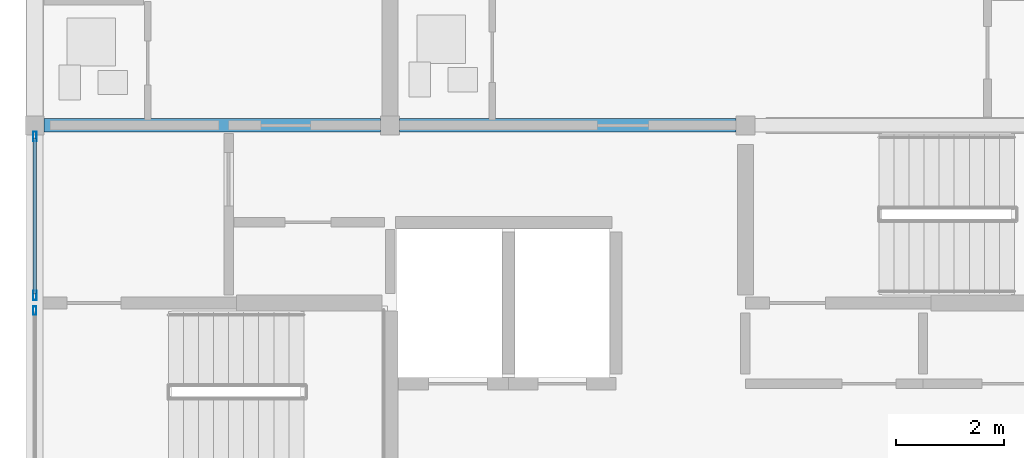
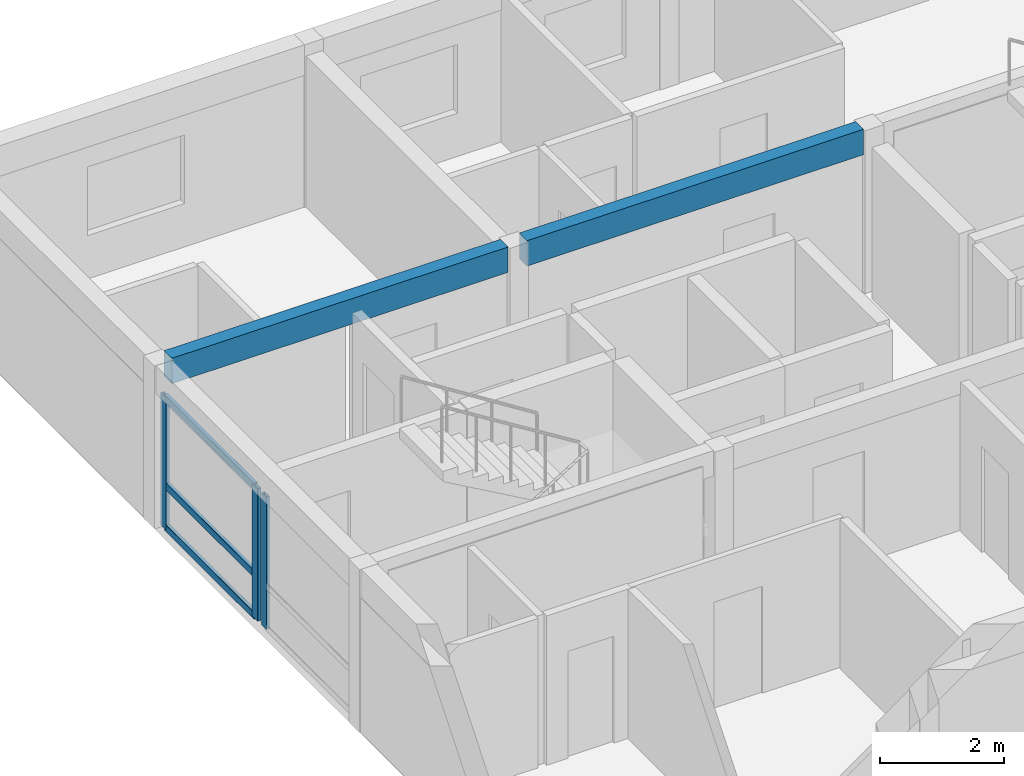
# One storey, part 6 of 53: 6 members, 2 beams, 2 elements without a shape of their own.
"""IFC4 building model written with IfcOpenShell, lengths in metres."""

from ifc_helpers import new_model, si_unit, direction, frame, origin, origin_2d, place, context, subcontext, project, spatial, rectangle, hollow_rectangle, extrude, material, material_profile, profile_set, type_object, element, aggregate, save


model = new_model("IFC4")

# Units and contexts
model_context = context("Model", 3, precision=1e-05, world=origin(), true_north=direction((0.0, 1.0)))
body_context = subcontext(model_context, "Body", "Model", "MODEL_VIEW")
ifc_project = project(units=[si_unit("LENGTHUNIT", "METRE"), si_unit("AREAUNIT", "SQUARE_METRE"), si_unit("VOLUMEUNIT", "CUBIC_METRE"), si_unit("PLANEANGLEUNIT", "RADIAN"), si_unit("MASSUNIT", "GRAM", prefix="KILO")], contexts=[model_context])

# Site, building, storey
site_placement = place(None, origin())
site = spatial("IfcSite", under=ifc_project, at=site_placement, CompositionType="ELEMENT")
building_placement = place(site_placement, origin())
building = spatial("IfcBuilding", under=site, at=building_placement, Name="Kernevlak Ridge Housing Community", CompositionType="ELEMENT")
storey_placement = place(building_placement, frame((0.0, 0.0, 24.39990234375)))
storey = spatial("IfcBuildingStorey", under=building, at=storey_placement, Name="L07", CompositionType="ELEMENT", Elevation=24.39990234375)

# Beams
ifc_material_1 = material(Name="Concrete C35/45", Category="concrete")
ifc_material_profile_1 = material_profile(ifc_material_1, rectangle(XDim=0.25, YDim=0.5, at=origin_2d()), Name="RC 250x500")
ifc_profile_set_1 = profile_set([ifc_material_profile_1], Name="Concrete C35/45")
beam_type = type_object("IfcBeamType", Name="B-06", PredefinedType="T_BEAM", material=ifc_profile_set_1)
for number, where, z_axis, x_axis, name in (
    (1, (15.77490234375, 28.800048828125, 2.9501953125), (1.0, 0.0, 0.0), (0.0, 1.0, 0.0), "Beam B-06 L07 1484"),
    (2, (22.375, 28.800048828125, 2.9501953125), (1.0, 0.0, 0.0), (0.0, 1.0, 0.0), "Beam B-06 L07 1485"),
):
    element("IfcBeam", number, at=place(storey_placement, frame(where, z_axis=z_axis, x_axis=x_axis)), inside=storey, type_object=beam_type, Name=name, PredefinedType="T_BEAM", context=body_context, shape_type="SweptSolid", body=[
        extrude(rectangle(XDim=0.25, YDim=0.5, at=origin_2d()), origin(), (0.0, 0.0, 1.0), 6.25),
    ])

# Curtain wall, member
ifc_material_2 = material(Name="Aluminium EN AW-6060 anodised and laminated glass", Category="aluminium")
curtain_wall_type_1 = type_object("IfcCurtainWallType", Name="CW-10", PredefinedType="NOTDEFINED", material=ifc_material_2)
curtain_wall_1_placement = place(storey_placement, origin())
curtain_wall_1 = element("IfcCurtainWall", 3, at=curtain_wall_1_placement, inside=storey, type_object=curtain_wall_type_1, Name="Curtain wall CW-10 CW-L07-160", PredefinedType="NOTDEFINED")
ifc_material_3 = material(Name="Aluminium EN AW-6060 anodised", Category="aluminium")
ifc_material_profile_2 = material_profile(ifc_material_3, hollow_rectangle(XDim=0.06005859375, YDim=0.159912109375, WallThickness=0.00390625, InnerFilletRadius=0.001953125, OuterFilletRadius=0.00390625, at=origin_2d()), Name="ALU 60x160x4")
ifc_profile_set_2 = profile_set([ifc_material_profile_2], Name="Aluminium EN AW-6060 anodised")
member_type_1 = type_object("IfcMemberType", Name="MU-02", PredefinedType="MULLION", material=ifc_profile_set_2)
member_1_placement = place(storey_placement, frame((15.60009765625, 25.360107421875, 0.0), z_axis=(0.0, 0.0, 1.0), x_axis=(-1.0, 0.0, 0.0)))
member_1 = element("IfcMember", 4, at=member_1_placement, type_object=member_type_1, Name="CW-10 mullion 2", PredefinedType="MULLION", context=body_context, shape_type="SweptSolid", body=[
    extrude(hollow_rectangle(XDim=0.06005859375, YDim=0.159912109375, WallThickness=0.00390625, InnerFilletRadius=0.001953125, OuterFilletRadius=0.00390625, at=origin_2d()), origin(), (0.0, 0.0, 1.0), 2.60009765625),
])
aggregate(curtain_wall_1, [member_1])

# Curtain wall, members
curtain_wall_type_2 = type_object("IfcCurtainWallType", Name="CW-03", PredefinedType="NOTDEFINED", material=ifc_material_2)
curtain_wall_2_placement = place(storey_placement, origin())
curtain_wall_2 = element("IfcCurtainWall", 5, at=curtain_wall_2_placement, inside=storey, type_object=curtain_wall_type_2, Name="Curtain wall CW-03 CW-L07-161", PredefinedType="NOTDEFINED")
ifc_material_profile_3 = material_profile(ifc_material_3, hollow_rectangle(XDim=0.06494140625, YDim=0.179931640625, WallThickness=0.00439453125, InnerFilletRadius=0.001953125, OuterFilletRadius=0.00439453125, at=origin_2d()), Name="ALU 65x180x4.5")
ifc_profile_set_3 = profile_set([ifc_material_profile_3], Name="Aluminium EN AW-6060 anodised")
member_type_2 = type_object("IfcMemberType", Name="MU-03", PredefinedType="MULLION", material=ifc_profile_set_3)
member_2_placement = place(storey_placement, frame((15.60009765625, 25.642578125, 0.0), z_axis=(0.0, 0.0, 1.0), x_axis=(-1.0, 0.0, 0.0)))
member_2 = element("IfcMember", 6, at=member_2_placement, type_object=member_type_2, Name="CW-03 mullion 1", PredefinedType="MULLION", context=body_context, shape_type="SweptSolid", body=[
    extrude(hollow_rectangle(XDim=0.06494140625, YDim=0.179931640625, WallThickness=0.00439453125, InnerFilletRadius=0.001953125, OuterFilletRadius=0.00439453125, at=origin_2d()), origin(), (0.0, 0.0, 1.0), 2.60009765625),
])
member_3_placement = place(storey_placement, frame((15.60009765625, 28.592529296875, 0.0), z_axis=(0.0, 0.0, 1.0), x_axis=(-1.0, 0.0, 0.0)))
member_3 = element("IfcMember", 7, at=member_3_placement, type_object=member_type_2, Name="CW-03 mullion 2", PredefinedType="MULLION", context=body_context, shape_type="SweptSolid", body=[
    extrude(hollow_rectangle(XDim=0.06494140625, YDim=0.179931640625, WallThickness=0.00439453125, InnerFilletRadius=0.001953125, OuterFilletRadius=0.00439453125, at=origin_2d()), origin(), (0.0, 0.0, 1.0), 2.60009765625),
])
ifc_material_profile_4 = material_profile(ifc_material_3, hollow_rectangle(XDim=0.06494140625, YDim=0.139892578125, WallThickness=0.00390625, InnerFilletRadius=0.001953125, OuterFilletRadius=0.00390625, at=origin_2d()), Name="ALU 65x140x4")
ifc_profile_set_4 = profile_set([ifc_material_profile_4], Name="Aluminium EN AW-6060 anodised")
member_type_3 = type_object("IfcMemberType", Name="TM-03", PredefinedType="USERDEFINED", material=ifc_profile_set_4)
member_4_placement = place(storey_placement, frame((15.60009765625, 25.675048828125, 0.03271484375), z_axis=(0.0, 1.0, 0.0), x_axis=(-1.0, 0.0, 0.0)))
member_4 = element("IfcMember", 8, at=member_4_placement, type_object=member_type_3, Name="CW-03 transom 1.1", ObjectType="TRANSOM", PredefinedType="USERDEFINED", context=body_context, shape_type="SweptSolid", body=[
    extrude(hollow_rectangle(XDim=0.06494140625, YDim=0.139892578125, WallThickness=0.00390625, InnerFilletRadius=0.001953125, OuterFilletRadius=0.00390625, at=origin_2d()), origin(), (0.0, 0.0, 1.0), 2.885009765625),
])
member_5_placement = place(storey_placement, frame((15.60009765625, 25.675048828125, 0.85009765625), z_axis=(0.0, 1.0, 0.0), x_axis=(-1.0, 0.0, 0.0)))
member_5 = element("IfcMember", 9, at=member_5_placement, type_object=member_type_3, Name="CW-03 transom 1.2", ObjectType="TRANSOM", PredefinedType="USERDEFINED", context=body_context, shape_type="SweptSolid", body=[
    extrude(hollow_rectangle(XDim=0.06494140625, YDim=0.139892578125, WallThickness=0.00390625, InnerFilletRadius=0.001953125, OuterFilletRadius=0.00390625, at=origin_2d()), origin(), (0.0, 0.0, 1.0), 2.885009765625),
])
member_6_placement = place(storey_placement, frame((15.60009765625, 25.675048828125, 2.567626953125), z_axis=(0.0, 1.0, 0.0), x_axis=(-1.0, 0.0, 0.0)))
member_6 = element("IfcMember", 10, at=member_6_placement, type_object=member_type_3, Name="CW-03 transom 1.3", ObjectType="TRANSOM", PredefinedType="USERDEFINED", context=body_context, shape_type="SweptSolid", body=[
    extrude(hollow_rectangle(XDim=0.06494140625, YDim=0.139892578125, WallThickness=0.00390625, InnerFilletRadius=0.001953125, OuterFilletRadius=0.00390625, at=origin_2d()), origin(), (0.0, 0.0, 1.0), 2.885009765625),
])
aggregate(curtain_wall_2, [member_2, member_3, member_4, member_5, member_6])

save(model, "model.ifc")
